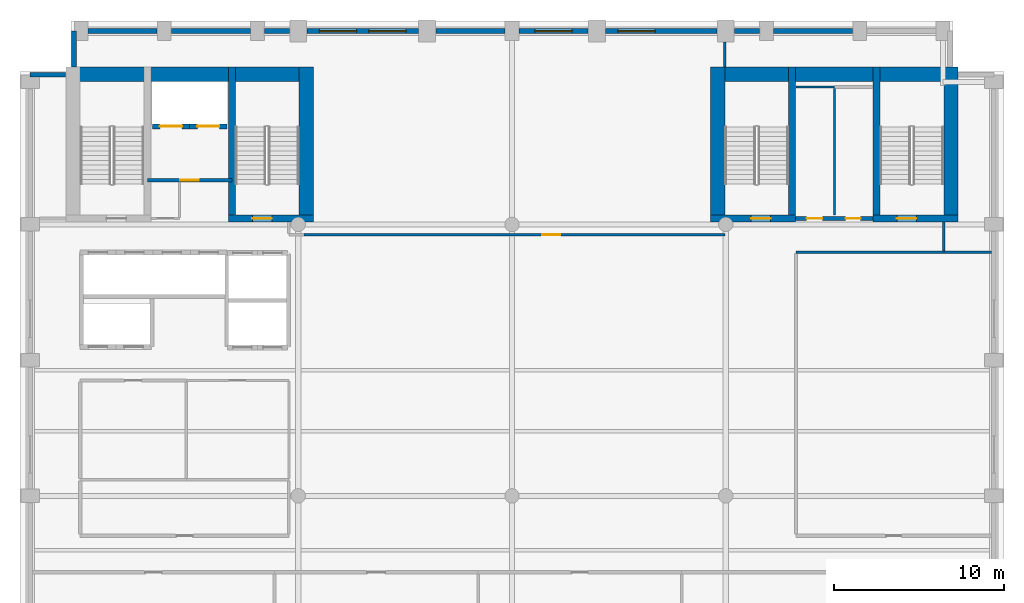
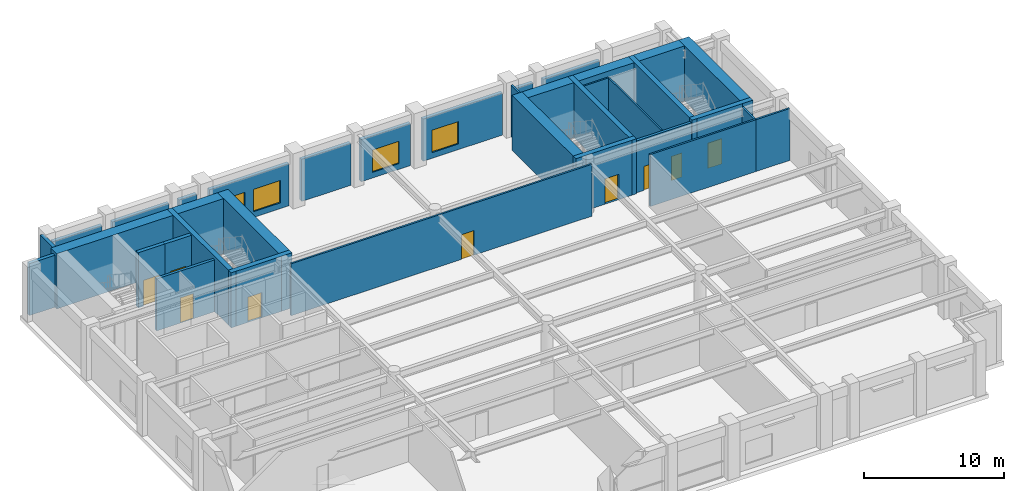
# One storey, part 6 of 10: 33 walls, 9 doors, 4 windows, 13 openings.
"""IFC4 building model written with IfcOpenShell, lengths in metres."""

from ifc_helpers import new_model, si_unit, direction, frame, frame_2d, origin, place, context, subcontext, project, spatial, rectangle, extrude, material, layer, layer_set, type_object, element, fill, save


model = new_model("IFC4")

# Units and contexts
model_context = context("Model", 3, precision=1e-05, world=origin(), true_north=direction((0.0, 1.0)))
body_context = subcontext(model_context, "Body", "Model", "MODEL_VIEW")
ifc_project = project(units=[si_unit("LENGTHUNIT", "METRE"), si_unit("AREAUNIT", "SQUARE_METRE"), si_unit("VOLUMEUNIT", "CUBIC_METRE"), si_unit("PLANEANGLEUNIT", "RADIAN"), si_unit("MASSUNIT", "GRAM", prefix="KILO")], contexts=[model_context])

# Site, building, storey
site_placement = place(None, origin())
site = spatial("IfcSite", under=ifc_project, at=site_placement, CompositionType="ELEMENT")
building_placement = place(site_placement, origin())
building = spatial("IfcBuilding", under=site, at=building_placement, Name="Sulina Concourse Tower", CompositionType="ELEMENT")
storey_placement = place(building_placement, frame((0.0, 0.0, 165.800048828125)))
storey = spatial("IfcBuildingStorey", under=building, at=storey_placement, Name="L40", CompositionType="ELEMENT", Elevation=165.800048828125)

# Wall, opening, door
ifc_material_1 = material(Name="Concrete C50/60", Category="concrete")
ifc_layer_1 = layer(ifc_material_1, 0.300048828125)
ifc_layer_set_1 = layer_set([ifc_layer_1], Name="Concrete C50/60")
wall_type_1 = type_object("IfcWallType", Name="Core Lift Hoistway Wall 300mm", PredefinedType="SOLIDWALL", material=ifc_layer_set_1)
wall_1_placement = place(storey_placement, frame((10.0, 39.780029296875, 0.0), z_axis=(0.0, 0.0, 1.0), x_axis=(-1.0, 0.0, 0.0)))
wall_1 = element("IfcWall", 1, at=wall_1_placement, inside=storey, type_object=wall_type_1, Name="L40 hoistway enclosure wall FFL-1", PredefinedType="SOLIDWALL", context=body_context, shape_type="SweptSolid", body=[
    extrude(rectangle(XDim=2.199951171875, YDim=0.300048828125, at=frame_2d((1.10009765625, 0.0))), origin(), (0.0, 0.0, 1.0), 4.800048828125),
])
opening_1_placement = place(wall_1_placement, frame((0.449951171875, 0.0, 0.0)))
opening_1 = element("IfcOpeningElement", 2, at=opening_1_placement, cuts=wall_1, Name="Opening LD-02", PredefinedType="OPENING", context=body_context, shape_type="SweptSolid", body=[
    extrude(rectangle(XDim=1.300048828125, YDim=2.25, at=frame_2d((0.64990234375, 1.125))), frame((0.0, 0.159912109375, 0.0), z_axis=(0.0, -1.0, 0.0), x_axis=(1.0, 0.0, 0.0)), (0.0, 0.0, 1.0), 0.320068359375),
])
ifc_material_2 = material(Name="Stainless steel lift landing door", Category="steel")
ifc_layer_2 = layer(ifc_material_2, 0.050048828125)
ifc_layer_set_2 = layer_set([ifc_layer_2], Name="Stainless steel lift landing door")
door_type_1 = type_object("IfcDoorType", Name="Firefighting Lift Sliding Landing Door 1300x2250", OperationType="SLIDING_TO_RIGHT", PredefinedType="DOOR", material=ifc_layer_set_2)
door_1_placement = place(opening_1_placement, origin())
door_1 = element("IfcDoor", 3, at=door_1_placement, inside=storey, type_object=door_type_1, Name="L40 lift landing sliding door FFL-1", OperationType="SLIDING_TO_LEFT", OverallHeight=2.25, OverallWidth=1.300048828125, PredefinedType="DOOR", context=body_context, shape_type="SweptSolid", body=[
    extrude(rectangle(XDim=1.300048828125, YDim=2.25, at=frame_2d((0.64990234375, 1.125))), frame((0.0, 0.02490234375, 0.0), z_axis=(0.0, -1.0, 0.0), x_axis=(1.0, 0.0, 0.0)), (0.0, 0.0, 1.0), 0.050048828125),
])
fill(opening_1, door_1)

wall_2_placement = place(storey_placement, frame((12.199951171875, 39.780029296875, 0.0), z_axis=(0.0, 0.0, 1.0), x_axis=(-1.0, 0.0, 0.0)))
wall_2 = element("IfcWall", 4, at=wall_2_placement, inside=storey, type_object=wall_type_1, Name="L40 hoistway enclosure wall FFL-2", PredefinedType="SOLIDWALL", context=body_context, shape_type="SweptSolid", body=[
    extrude(rectangle(XDim=2.199951171875, YDim=0.300048828125, at=frame_2d((1.10009765625, 0.0))), origin(), (0.0, 0.0, 1.0), 4.800048828125),
])
opening_2_placement = place(wall_2_placement, frame((0.449951171875, 0.0, 0.0)))
opening_2 = element("IfcOpeningElement", 5, at=opening_2_placement, cuts=wall_2, Name="Opening LD-02", PredefinedType="OPENING", context=body_context, shape_type="SweptSolid", body=[
    extrude(rectangle(XDim=1.300048828125, YDim=2.25, at=frame_2d((0.64990234375, 1.125))), frame((0.0, 0.159912109375, 0.0), z_axis=(0.0, -1.0, 0.0), x_axis=(1.0, 0.0, 0.0)), (0.0, 0.0, 1.0), 0.320068359375),
])
door_2_placement = place(opening_2_placement, origin())
door_2 = element("IfcDoor", 6, at=door_2_placement, inside=storey, type_object=door_type_1, Name="L40 lift landing sliding door FFL-2", OperationType="SLIDING_TO_RIGHT", OverallHeight=2.25, OverallWidth=1.300048828125, PredefinedType="DOOR", context=body_context, shape_type="SweptSolid", body=[
    extrude(rectangle(XDim=1.300048828125, YDim=2.25, at=frame_2d((0.64990234375, 1.125))), frame((0.0, 0.02490234375, 0.0), z_axis=(0.0, -1.0, 0.0), x_axis=(1.0, 0.0, 0.0)), (0.0, 0.0, 1.0), 0.050048828125),
])
fill(opening_2, door_2)

ifc_material_3 = material(Name="Gypsum board on steel stud", Category="steel")
ifc_layer_3 = layer(ifc_material_3, 0.219970703125)
ifc_layer_set_3 = layer_set([ifc_layer_3], Name="Gypsum board on steel stud")
wall_type_2 = type_object("IfcWallType", Name="Fire-Rated Lobby & Compartment Wall 220mm", PredefinedType="PARTITIONING", material=ifc_layer_set_3)
wall_3_placement = place(storey_placement, frame((7.510009765625, 36.60009765625, 0.0), z_axis=(0.0, 0.0, 1.0), x_axis=(1.0, 0.0, 0.0)))
wall_3 = element("IfcWall", 7, at=wall_3_placement, inside=storey, type_object=wall_type_2, Name="L40 firefighting lobby south fire wall", PredefinedType="PARTITIONING", context=body_context, shape_type="SweptSolid", body=[
    extrude(rectangle(XDim=4.97998046875, YDim=0.219970703125, at=frame_2d((2.489990234375, 0.0))), origin(), (0.0, 0.0, 1.0), 4.52490234375),
])
opening_3_placement = place(wall_3_placement, frame((1.93994140625, 0.0, 0.0)))
opening_3 = element("IfcOpeningElement", 8, at=opening_3_placement, cuts=wall_3, Name="Opening DR-47", PredefinedType="OPENING", context=body_context, shape_type="SweptSolid", body=[
    extrude(rectangle(XDim=1.10009765625, YDim=2.199951171875, at=frame_2d((0.550048828125, 1.10009765625))), frame((0.0, 0.119873046875, 0.0), z_axis=(0.0, -1.0, 0.0), x_axis=(1.0, 0.0, 0.0)), (0.0, 0.0, 1.0), 0.239990234375),
])
ifc_material_4 = material(Name="Galvanised steel acoustic fire leaf", Category="steel")
ifc_layer_4 = layer(ifc_material_4, 0.054931640625)
ifc_layer_set_4 = layer_set([ifc_layer_4], Name="Galvanised steel acoustic fire leaf")
door_type_2 = type_object("IfcDoorType", Name="Firefighting Lobby Fire Door 1100x2200", OperationType="NOTDEFINED", PredefinedType="DOOR", material=ifc_layer_set_4)
door_3_placement = place(opening_3_placement, origin())
door_3 = element("IfcDoor", 9, at=door_3_placement, inside=storey, type_object=door_type_2, Name="L40 firefighting lobby fire door", OperationType="SINGLE_SWING_LEFT", OverallHeight=2.199951171875, OverallWidth=1.10009765625, PredefinedType="DOOR", context=body_context, shape_type="SweptSolid", body=[
    extrude(rectangle(XDim=1.10009765625, YDim=2.199951171875, at=frame_2d((0.550048828125, 1.10009765625))), frame((0.0, 0.02490234375, 0.0), z_axis=(0.0, -1.0, 0.0), x_axis=(1.0, 0.0, 0.0)), (0.0, 0.0, 1.0), 0.050048828125),
])
fill(opening_3, door_3)

# Wall, openings, doors
wall_4_placement = place(storey_placement, frame((45.719970703125, 34.35009765625, 0.0), z_axis=(0.0, 0.0, 1.0), x_axis=(1.0, 0.0, 0.0)))
wall_4 = element("IfcWall", 10, at=wall_4_placement, inside=storey, type_object=wall_type_2, Name="L40 east core south lobby wall", PredefinedType="PARTITIONING", context=body_context, shape_type="SweptSolid", body=[
    extrude(rectangle(XDim=4.56005859375, YDim=0.219970703125, at=frame_2d((2.280029296875, 0.0))), origin(), (0.0, 0.0, 1.0), 4.52490234375),
])
opening_4_placement = place(wall_4_placement, frame((0.64990234375, 0.0, 0.0)))
opening_4 = element("IfcOpeningElement", 11, at=opening_4_placement, cuts=wall_4, Name="Opening DR-61", PredefinedType="OPENING", context=body_context, shape_type="SweptSolid", body=[
    extrude(rectangle(XDim=0.919921875, YDim=2.10009765625, at=frame_2d((0.4599609375, 1.050048828125))), frame((0.0, 0.119873046875, 0.0), z_axis=(0.0, -1.0, 0.0), x_axis=(1.0, 0.0, 0.0)), (0.0, 0.0, 1.0), 0.239990234375),
])
opening_5_placement = place(wall_4_placement, frame((2.949951171875, 0.0, 0.0)))
opening_5 = element("IfcOpeningElement", 12, at=opening_5_placement, cuts=wall_4, Name="Opening DR-38", PredefinedType="OPENING", context=body_context, shape_type="SweptSolid", body=[
    extrude(rectangle(XDim=0.8798828125, YDim=2.10009765625, at=frame_2d((0.43994140625, 1.050048828125))), frame((0.0, 0.119873046875, 0.0), z_axis=(0.0, -1.0, 0.0), x_axis=(1.0, 0.0, 0.0)), (0.0, 0.0, 1.0), 0.239990234375),
])
ifc_material_5 = material(Name="Oak-veneered fire door leaf")
ifc_layer_5 = layer(ifc_material_5, 0.050048828125)
ifc_layer_set_5 = layer_set([ifc_layer_5], Name="Oak-veneered fire door leaf")
door_type_3 = type_object("IfcDoorType", Name="Accessible WC Door 920x2100", OperationType="NOTDEFINED", PredefinedType="DOOR", material=ifc_layer_set_5)
door_4_placement = place(opening_4_placement, origin())
door_4 = element("IfcDoor", 13, at=door_4_placement, inside=storey, type_object=door_type_3, Name="L40 east core accessible wc door", OperationType="SINGLE_SWING_LEFT", OverallHeight=2.10009765625, OverallWidth=0.919921875, PredefinedType="DOOR", context=body_context, shape_type="SweptSolid", body=[
    extrude(rectangle(XDim=0.919921875, YDim=2.10009765625, at=frame_2d((0.4599609375, 1.050048828125))), frame((0.0, 0.02490234375, 0.0), z_axis=(0.0, -1.0, 0.0), x_axis=(1.0, 0.0, 0.0)), (0.0, 0.0, 1.0), 0.050048828125),
])
fill(opening_4, door_4)
ifc_material_6 = material(Name="Galvanised steel acoustic fire leaf", Category="steel")
ifc_layer_6 = layer(ifc_material_6, 0.050048828125)
ifc_layer_set_6 = layer_set([ifc_layer_6], Name="Galvanised steel acoustic fire leaf")
door_type_4 = type_object("IfcDoorType", Name="Service Riser Fire Door 880x2100", OperationType="NOTDEFINED", PredefinedType="DOOR", material=ifc_layer_set_6)
door_5_placement = place(opening_5_placement, origin())
door_5 = element("IfcDoor", 14, at=door_5_placement, inside=storey, type_object=door_type_4, Name="L40 east core store door", OperationType="SINGLE_SWING_RIGHT", OverallHeight=2.10009765625, OverallWidth=0.8798828125, PredefinedType="DOOR", context=body_context, shape_type="SweptSolid", body=[
    extrude(rectangle(XDim=0.8798828125, YDim=2.10009765625, at=frame_2d((0.43994140625, 1.050048828125))), frame((0.0, 0.02490234375, 0.0), z_axis=(0.0, -1.0, 0.0), x_axis=(1.0, 0.0, 0.0)), (0.0, 0.0, 1.0), 0.050048828125),
])
fill(opening_5, door_5)

# Walls
ifc_material_7 = material(Name="Gypsum board on steel stud", Category="steel")
ifc_layer_7 = layer(ifc_material_7, 0.14990234375)
ifc_layer_set_7 = layer_set([ifc_layer_7], Name="Gypsum board on steel stud")
wall_type_3 = type_object("IfcWallType", Name="Inter-Tenancy Acoustic Partition 150mm", PredefinedType="PARTITIONING", material=ifc_layer_set_7)
wall_5_placement = place(storey_placement, frame((45.75, 32.35009765625, 0.0), z_axis=(0.0, 0.0, 1.0), x_axis=(1.0, 0.0, 0.0)))
element("IfcWall", 15, at=wall_5_placement, inside=storey, type_object=wall_type_3, Name="L40 interior partition 011", PredefinedType="PARTITIONING", context=body_context, shape_type="SweptSolid", body=[
    extrude(rectangle(XDim=8.699951171875, YDim=0.14990234375, at=frame_2d((4.35009765625, 0.0))), origin(), (0.0, 0.0, 1.0), 4.52490234375),
])
wall_6_placement = place(storey_placement, frame((54.449951171875, 32.35009765625, 0.0), z_axis=(0.0, 0.0, 1.0), x_axis=(1.0, 0.0, 0.0)))
element("IfcWall", 16, at=wall_6_placement, inside=storey, type_object=wall_type_3, Name="L40 interior partition 012", PredefinedType="PARTITIONING", context=body_context, shape_type="SweptSolid", body=[
    extrude(rectangle(XDim=2.81005859375, YDim=0.14990234375, at=frame_2d((1.405029296875, 0.0))), origin(), (0.0, 0.0, 1.0), 4.52490234375),
])

# Wall, opening, door
wall_7_placement = place(storey_placement, frame((16.75, 33.39990234375, 0.0), z_axis=(0.0, 0.0, 1.0), x_axis=(1.0, 0.0, 0.0)))
wall_7 = element("IfcWall", 17, at=wall_7_placement, inside=storey, type_object=wall_type_3, Name="L40 interior partition 014", PredefinedType="PARTITIONING", context=body_context, shape_type="SweptSolid", body=[
    extrude(rectangle(XDim=24.800048828125, YDim=0.14990234375, at=frame_2d((12.39990234375, 0.0))), origin(), (0.0, 0.0, 1.0), 4.52490234375),
])
opening_6_placement = place(wall_7_placement, frame((14.034912109375, 0.0, 0.0)))
opening_6 = element("IfcOpeningElement", 18, at=opening_6_placement, cuts=wall_7, Name="Opening DR-37", PredefinedType="OPENING", context=body_context, shape_type="SweptSolid", body=[
    extrude(rectangle(XDim=1.050048828125, YDim=2.14990234375, at=frame_2d((0.52490234375, 1.074951171875))), frame((0.0, 0.0849609375, 0.0), z_axis=(0.0, -1.0, 0.0), x_axis=(1.0, 0.0, 0.0)), (0.0, 0.0, 1.0), 0.169921875),
])
ifc_material_8 = material(Name="Oak-veneered fire door leaf")
ifc_layer_8 = layer(ifc_material_8, 0.050048828125)
ifc_layer_set_8 = layer_set([ifc_layer_8], Name="Oak-veneered fire door leaf")
door_type_5 = type_object("IfcDoorType", Name="Tenant Suite Entrance Fire Door 1050x2150", OperationType="NOTDEFINED", PredefinedType="DOOR", material=ifc_layer_set_8)
door_6_placement = place(opening_6_placement, origin())
door_6 = element("IfcDoor", 19, at=door_6_placement, inside=storey, type_object=door_type_5, Name="L40 interior door L40-PNT-SL", OperationType="SINGLE_SWING_LEFT", OverallHeight=2.14990234375, OverallWidth=1.050048828125, PredefinedType="DOOR", context=body_context, shape_type="SweptSolid", body=[
    extrude(rectangle(XDim=1.050048828125, YDim=2.14990234375, at=frame_2d((0.52490234375, 1.074951171875))), frame((0.0, 0.02490234375, 0.0), z_axis=(0.0, -1.0, 0.0), x_axis=(1.0, 0.0, 0.0)), (0.0, 0.0, 1.0), 0.050048828125),
])
fill(opening_6, door_6)

# Walls
wall_8_placement = place(storey_placement, frame((41.550048828125, 43.280029296875, 0.0), z_axis=(0.0, 0.0, 1.0), x_axis=(0.0, 1.0, 0.0)))
element("IfcWall", 20, at=wall_8_placement, inside=storey, type_object=wall_type_3, Name="L40 interior partition 029", PredefinedType="PARTITIONING", context=body_context, shape_type="SweptSolid", body=[
    extrude(rectangle(XDim=1.469970703125, YDim=0.14990234375, at=frame_2d((0.73486328125, 0.0))), origin(), (0.0, 0.0, 1.0), 4.52490234375),
])
wall_9_placement = place(storey_placement, frame((54.449951171875, 32.425048828125, 0.0), z_axis=(0.0, 0.0, 1.0), x_axis=(0.0, 1.0, 0.0)))
element("IfcWall", 21, at=wall_9_placement, inside=storey, type_object=wall_type_3, Name="L40 interior partition 032", PredefinedType="PARTITIONING", context=body_context, shape_type="SweptSolid", body=[
    extrude(rectangle(XDim=1.724853515625, YDim=0.14990234375, at=frame_2d((0.8623046875, 0.0))), origin(), (0.0, 0.0, 1.0), 4.52490234375),
])

# Wall, opening, door
ifc_material_9 = material(Name="Concrete C60/75", Category="concrete")
ifc_layer_9 = layer(ifc_material_9, 0.39990234375)
ifc_layer_set_9 = layer_set([ifc_layer_9], Name="Concrete C60/75")
wall_type_4 = type_object("IfcWallType", Name="Protected Stair Core Shear Wall 400mm", PredefinedType="SHEAR", material=ifc_layer_set_9)
wall_10_placement = place(storey_placement, frame((12.2900390625, 34.35009765625, 0.0), z_axis=(0.0, 0.0, 1.0), x_axis=(1.0, 0.0, 0.0)))
wall_10 = element("IfcWall", 22, at=wall_10_placement, inside=storey, type_object=wall_type_4, Name="L40 west core shear wall CW-WS2", PredefinedType="SHEAR", context=body_context, shape_type="SweptSolid", body=[
    extrude(rectangle(XDim=5.010009765625, YDim=0.39990234375, at=frame_2d((2.5048828125, 0.0))), origin(), (0.0, 0.0, 1.0), 4.800048828125),
])
opening_7_placement = place(wall_10_placement, frame((1.39990234375, 0.0, 0.0)))
opening_7 = element("IfcOpeningElement", 23, at=opening_7_placement, cuts=wall_10, Name="Opening DR-60", PredefinedType="OPENING", context=body_context, shape_type="SweptSolid", body=[
    extrude(rectangle(XDim=1.14990234375, YDim=2.199951171875, at=frame_2d((0.574951171875, 1.10009765625))), frame((0.0, 0.2099609375, 0.0), z_axis=(0.0, -1.0, 0.0), x_axis=(1.0, 0.0, 0.0)), (0.0, 0.0, 1.0), 0.419921875),
])
ifc_material_10 = material(Name="Galvanised steel acoustic fire leaf", Category="steel")
ifc_layer_10 = layer(ifc_material_10, 0.054931640625)
ifc_layer_set_10 = layer_set([ifc_layer_10], Name="Galvanised steel acoustic fire leaf")
door_type_6 = type_object("IfcDoorType", Name="Protected Exit Stair Fire Door 1150x2200", OperationType="NOTDEFINED", PredefinedType="DOOR", material=ifc_layer_set_10)
door_7_placement = place(opening_7_placement, origin())
door_7 = element("IfcDoor", 24, at=door_7_placement, inside=storey, type_object=door_type_6, Name="L40 stair ST-2 lobby fire door", OperationType="SINGLE_SWING_RIGHT", OverallHeight=2.199951171875, OverallWidth=1.14990234375, PredefinedType="DOOR", context=body_context, shape_type="SweptSolid", body=[
    extrude(rectangle(XDim=1.14990234375, YDim=2.199951171875, at=frame_2d((0.574951171875, 1.10009765625))), frame((0.0, 0.02490234375, 0.0), z_axis=(0.0, -1.0, 0.0), x_axis=(1.0, 0.0, 0.0)), (0.0, 0.0, 1.0), 0.050048828125),
])
fill(opening_7, door_7)

# Wall
wall_11_placement = place(storey_placement, frame((12.489990234375, 34.14990234375, 0.0), z_axis=(0.0, 0.0, 1.0), x_axis=(0.0, 1.0, 0.0)))
element("IfcWall", 25, at=wall_11_placement, inside=storey, type_object=wall_type_4, Name="L40 west core shear wall SW-ST2", PredefinedType="SHEAR", context=body_context, shape_type="SweptSolid", body=[
    extrude(rectangle(XDim=9.130126953125, YDim=0.39990234375, at=frame_2d((4.56494140625, 0.0))), origin(), (0.0, 0.0, 1.0), 4.800048828125),
])

# Wall, opening, door
wall_12_placement = place(storey_placement, frame((40.699951171875, 34.35009765625, 0.0), z_axis=(0.0, 0.0, 1.0), x_axis=(1.0, 0.0, 0.0)))
wall_12 = element("IfcWall", 26, at=wall_12_placement, inside=storey, type_object=wall_type_4, Name="L40 east core shear wall CW-ES1", PredefinedType="SHEAR", context=body_context, shape_type="SweptSolid", body=[
    extrude(rectangle(XDim=5.010009765625, YDim=0.39990234375, at=frame_2d((2.5048828125, 0.0))), origin(), (0.0, 0.0, 1.0), 4.800048828125),
])
opening_8_placement = place(wall_12_placement, frame((2.39990234375, 0.0, 0.0)))
opening_8 = element("IfcOpeningElement", 27, at=opening_8_placement, cuts=wall_12, Name="Opening DR-60", PredefinedType="OPENING", context=body_context, shape_type="SweptSolid", body=[
    extrude(rectangle(XDim=1.14990234375, YDim=2.199951171875, at=frame_2d((0.574951171875, 1.10009765625))), frame((0.0, 0.2099609375, 0.0), z_axis=(0.0, -1.0, 0.0), x_axis=(1.0, 0.0, 0.0)), (0.0, 0.0, 1.0), 0.419921875),
])
door_8_placement = place(opening_8_placement, origin())
door_8 = element("IfcDoor", 28, at=door_8_placement, inside=storey, type_object=door_type_6, Name="L40 stair ST-3 south lobby fire door", OperationType="SINGLE_SWING_RIGHT", OverallHeight=2.199951171875, OverallWidth=1.14990234375, PredefinedType="DOOR", context=body_context, shape_type="SweptSolid", body=[
    extrude(rectangle(XDim=1.14990234375, YDim=2.199951171875, at=frame_2d((0.574951171875, 1.10009765625))), frame((0.0, 0.02490234375, 0.0), z_axis=(0.0, -1.0, 0.0), x_axis=(1.0, 0.0, 0.0)), (0.0, 0.0, 1.0), 0.050048828125),
])
fill(opening_8, door_8)

# Wall
wall_13_placement = place(storey_placement, frame((45.510009765625, 34.14990234375, 0.0), z_axis=(0.0, 0.0, 1.0), x_axis=(0.0, 1.0, 0.0)))
element("IfcWall", 29, at=wall_13_placement, inside=storey, type_object=wall_type_4, Name="L40 east core shear wall SW-ST3", PredefinedType="SHEAR", context=body_context, shape_type="SweptSolid", body=[
    extrude(rectangle(XDim=9.130126953125, YDim=0.39990234375, at=frame_2d((4.56494140625, 0.0))), origin(), (0.0, 0.0, 1.0), 4.800048828125),
])

# Wall, opening, door
wall_14_placement = place(storey_placement, frame((50.2900390625, 34.35009765625, 0.0), z_axis=(0.0, 0.0, 1.0), x_axis=(1.0, 0.0, 0.0)))
wall_14 = element("IfcWall", 30, at=wall_14_placement, inside=storey, type_object=wall_type_4, Name="L40 east core shear wall CW-ES2", PredefinedType="SHEAR", context=body_context, shape_type="SweptSolid", body=[
    extrude(rectangle(XDim=5.010009765625, YDim=0.39990234375, at=frame_2d((2.5048828125, 0.0))), origin(), (0.0, 0.0, 1.0), 4.800048828125),
])
opening_9_placement = place(wall_14_placement, frame((1.39990234375, 0.0, 0.0)))
opening_9 = element("IfcOpeningElement", 31, at=opening_9_placement, cuts=wall_14, Name="Opening DR-60", PredefinedType="OPENING", context=body_context, shape_type="SweptSolid", body=[
    extrude(rectangle(XDim=1.14990234375, YDim=2.199951171875, at=frame_2d((0.574951171875, 1.10009765625))), frame((0.0, 0.2099609375, 0.0), z_axis=(0.0, -1.0, 0.0), x_axis=(1.0, 0.0, 0.0)), (0.0, 0.0, 1.0), 0.419921875),
])
door_9_placement = place(opening_9_placement, origin())
door_9 = element("IfcDoor", 32, at=door_9_placement, inside=storey, type_object=door_type_6, Name="L40 stair ST-4 south lobby fire door", OperationType="SINGLE_SWING_LEFT", OverallHeight=2.199951171875, OverallWidth=1.14990234375, PredefinedType="DOOR", context=body_context, shape_type="SweptSolid", body=[
    extrude(rectangle(XDim=1.14990234375, YDim=2.199951171875, at=frame_2d((0.574951171875, 1.10009765625))), frame((0.0, 0.02490234375, 0.0), z_axis=(0.0, -1.0, 0.0), x_axis=(1.0, 0.0, 0.0)), (0.0, 0.0, 1.0), 0.050048828125),
])
fill(opening_9, door_9)

# Walls
wall_15_placement = place(storey_placement, frame((50.489990234375, 34.14990234375, 0.0), z_axis=(0.0, 0.0, 1.0), x_axis=(0.0, 1.0, 0.0)))
element("IfcWall", 33, at=wall_15_placement, inside=storey, type_object=wall_type_4, Name="L40 east core shear wall SW-ST4", PredefinedType="SHEAR", context=body_context, shape_type="SweptSolid", body=[
    extrude(rectangle(XDim=9.130126953125, YDim=0.39990234375, at=frame_2d((4.56494140625, 0.0))), origin(), (0.0, 0.0, 1.0), 4.800048828125),
])
ifc_material_11 = material(Name="Concrete C60/75", Category="concrete")
ifc_layer_11 = layer(ifc_material_11, 0.85009765625)
ifc_layer_set_11 = layer_set([ifc_layer_11], Name="Concrete C60/75")
wall_type_5 = type_object("IfcWallType", Name="Rear Core Shear Wall 850mm", PredefinedType="SHEAR", material=ifc_layer_set_11)
wall_16_placement = place(storey_placement, frame((2.699951171875, 42.85498046875, 0.0), z_axis=(0.0, 0.0, 1.0), x_axis=(1.0, 0.0, 0.0)))
element("IfcWall", 34, at=wall_16_placement, inside=storey, type_object=wall_type_5, Name="L40 west core shear wall CW-WN", PredefinedType="SHEAR", context=body_context, shape_type="SweptSolid", body=[
    extrude(rectangle(XDim=14.60009765625, YDim=0.85009765625, at=frame_2d((7.300048828125, 0.0))), origin(), (0.0, 0.0, 1.0), 4.800048828125),
])
wall_17_placement = place(storey_placement, frame((16.875, 34.14990234375, 0.0), z_axis=(0.0, 0.0, 1.0), x_axis=(0.0, 1.0, 0.0)))
element("IfcWall", 35, at=wall_17_placement, inside=storey, type_object=wall_type_5, Name="L40 west core shear wall CW-WE", PredefinedType="SHEAR", context=body_context, shape_type="SweptSolid", body=[
    extrude(rectangle(XDim=9.130126953125, YDim=0.85009765625, at=frame_2d((4.56494140625, 0.0))), origin(), (0.0, 0.0, 1.0), 4.800048828125),
])
wall_18_placement = place(storey_placement, frame((40.699951171875, 42.85498046875, 0.0), z_axis=(0.0, 0.0, 1.0), x_axis=(1.0, 0.0, 0.0)))
element("IfcWall", 36, at=wall_18_placement, inside=storey, type_object=wall_type_5, Name="L40 east core shear wall CW-EN", PredefinedType="SHEAR", context=body_context, shape_type="SweptSolid", body=[
    extrude(rectangle(XDim=14.60009765625, YDim=0.85009765625, at=frame_2d((7.300048828125, 0.0))), origin(), (0.0, 0.0, 1.0), 4.800048828125),
])
for number, where, z_axis, x_axis, name in (
    (37, (41.125, 34.14990234375, 0.0), (0.0, 0.0, 1.0), (0.0, 1.0, 0.0), "L40 east core shear wall CW-EW"),
    (38, (54.875, 34.14990234375, 0.0), (0.0, 0.0, 1.0), (0.0, 1.0, 0.0), "L40 east core shear wall CW-EE"),
):
    element("IfcWall", number, at=place(storey_placement, frame(where, z_axis=z_axis, x_axis=x_axis)), inside=storey, type_object=wall_type_5, Name=name, PredefinedType="SHEAR", context=body_context, shape_type="SweptSolid", body=[
        extrude(rectangle(XDim=9.130126953125, YDim=0.85009765625, at=frame_2d((4.56494140625, 0.0))), origin(), (0.0, 0.0, 1.0), 4.800048828125),
    ])
ifc_material_12 = material(Name="Precast concrete C50/60", Category="concrete")
ifc_layer_12 = layer(ifc_material_12, 0.280029296875)
ifc_layer_set_12 = layer_set([ifc_layer_12], Name="Precast concrete C50/60")
wall_type_6 = type_object("IfcWallType", Name="Typical Precast Masonry-Frame Facade Wall 280mm", PredefinedType="SOLIDWALL", material=ifc_layer_set_12)
wall_19_placement = place(storey_placement, frame((4.02001953125, 45.39990234375, 0.0), z_axis=(0.0, 0.0, 1.0), x_axis=(1.0, 0.0, 0.0)))
element("IfcWall", 39, at=wall_19_placement, inside=storey, type_object=wall_type_6, Name="L40 exterior precast wall N1", PredefinedType="SOLIDWALL", context=body_context, shape_type="SweptSolid", body=[
    extrude(rectangle(XDim=4.06005859375, YDim=0.280029296875, at=frame_2d((2.030029296875, 0.0))), origin(), (0.0, 0.0, 1.0), 3.675048828125),
])
wall_20_placement = place(storey_placement, frame((8.919921875, 45.39990234375, 0.0), z_axis=(0.0, 0.0, 1.0), x_axis=(1.0, 0.0, 0.0)))
element("IfcWall", 40, at=wall_20_placement, inside=storey, type_object=wall_type_6, Name="L40 exterior precast wall N2", PredefinedType="SOLIDWALL", context=body_context, shape_type="SweptSolid", body=[
    extrude(rectangle(XDim=4.66015625, YDim=0.280029296875, at=frame_2d((2.330078125, 0.0))), origin(), (0.0, 0.0, 1.0), 3.675048828125),
])
wall_21_placement = place(storey_placement, frame((14.419921875, 45.39990234375, 0.0), z_axis=(0.0, 0.0, 1.0), x_axis=(1.0, 0.0, 0.0)))
element("IfcWall", 41, at=wall_21_placement, inside=storey, type_object=wall_type_6, Name="L40 exterior precast wall N3", PredefinedType="SOLIDWALL", context=body_context, shape_type="SweptSolid", body=[
    extrude(rectangle(XDim=1.4599609375, YDim=0.280029296875, at=frame_2d((0.72998046875, 0.0))), origin(), (0.0, 0.0, 1.0), 3.675048828125),
])

# Wall, openings, windows
wall_22_placement = place(storey_placement, frame((16.919921875, 45.39990234375, 0.0), z_axis=(0.0, 0.0, 1.0), x_axis=(1.0, 0.0, 0.0)))
wall_22 = element("IfcWall", 42, at=wall_22_placement, inside=storey, type_object=wall_type_6, Name="L40 exterior precast wall N4", PredefinedType="SOLIDWALL", context=body_context, shape_type="SweptSolid", body=[
    extrude(rectangle(XDim=6.56005859375, YDim=0.280029296875, at=frame_2d((3.280029296875, 0.0))), origin(), (0.0, 0.0, 1.0), 3.675048828125),
])
opening_10_placement = place(wall_22_placement, frame((0.719970703125, 0.0, 0.5)))
opening_10 = element("IfcOpeningElement", 43, at=opening_10_placement, cuts=wall_22, Name="Opening WN-76", PredefinedType="OPENING", context=body_context, shape_type="SweptSolid", body=[
    extrude(rectangle(XDim=2.199951171875, YDim=1.949951171875, at=frame_2d((1.10009765625, 0.97509765625))), frame((0.0, 0.14990234375, 0.0), z_axis=(0.0, -1.0, 0.0), x_axis=(1.0, 0.0, 0.0)), (0.0, 0.0, 1.0), 0.300048828125),
])
opening_11_placement = place(wall_22_placement, frame((3.639892578125, 0.0, 0.5)))
opening_11 = element("IfcOpeningElement", 44, at=opening_11_placement, cuts=wall_22, Name="Opening WN-76", PredefinedType="OPENING", context=body_context, shape_type="SweptSolid", body=[
    extrude(rectangle(XDim=2.199951171875, YDim=1.949951171875, at=frame_2d((1.10009765625, 0.97509765625))), frame((0.0, 0.14990234375, 0.0), z_axis=(0.0, -1.0, 0.0), x_axis=(1.0, 0.0, 0.0)), (0.0, 0.0, 1.0), 0.300048828125),
])
ifc_material_13 = material(Name="Low-E solar double glazing in bronze aluminium", Category="aluminium")
window_type = type_object("IfcWindowType", Name="Recessed Spandrel Window 2200x1950", PartitioningType="DOUBLE_PANEL_VERTICAL", PredefinedType="WINDOW", material=ifc_material_13)
window_1_placement = place(opening_10_placement, origin())
window_1 = element("IfcWindow", 45, at=window_1_placement, inside=storey, type_object=window_type, Name="L40 punched window N4-1", OverallHeight=1.949951171875, OverallWidth=2.199951171875, PartitioningType="SINGLE_PANEL", PredefinedType="WINDOW", context=body_context, shape_type="SweptSolid", body=[
    extrude(rectangle(XDim=2.199951171875, YDim=1.949951171875, at=frame_2d((1.10009765625, 0.97509765625))), frame((0.0, 0.030029296875, 0.0), z_axis=(0.0, -1.0, 0.0), x_axis=(1.0, 0.0, 0.0)), (0.0, 0.0, 1.0), 0.06005859375),
])
fill(opening_10, window_1)
window_2_placement = place(opening_11_placement, origin())
window_2 = element("IfcWindow", 46, at=window_2_placement, inside=storey, type_object=window_type, Name="L40 punched window N4-2", OverallHeight=1.949951171875, OverallWidth=2.199951171875, PartitioningType="SINGLE_PANEL", PredefinedType="WINDOW", context=body_context, shape_type="SweptSolid", body=[
    extrude(rectangle(XDim=2.199951171875, YDim=1.949951171875, at=frame_2d((1.10009765625, 0.97509765625))), frame((0.0, 0.030029296875, 0.0), z_axis=(0.0, -1.0, 0.0), x_axis=(1.0, 0.0, 0.0)), (0.0, 0.0, 1.0), 0.06005859375),
])
fill(opening_11, window_2)

# Wall
wall_23_placement = place(storey_placement, frame((24.52001953125, 45.39990234375, 0.0), z_axis=(0.0, 0.0, 1.0), x_axis=(1.0, 0.0, 0.0)))
element("IfcWall", 47, at=wall_23_placement, inside=storey, type_object=wall_type_6, Name="L40 exterior precast wall N5", PredefinedType="SOLIDWALL", context=body_context, shape_type="SweptSolid", body=[
    extrude(rectangle(XDim=4.06005859375, YDim=0.280029296875, at=frame_2d((2.030029296875, 0.0))), origin(), (0.0, 0.0, 1.0), 3.675048828125),
])

# Wall, opening, window
wall_24_placement = place(storey_placement, frame((29.419921875, 45.39990234375, 0.0), z_axis=(0.0, 0.0, 1.0), x_axis=(1.0, 0.0, 0.0)))
wall_24 = element("IfcWall", 48, at=wall_24_placement, inside=storey, type_object=wall_type_6, Name="L40 exterior precast wall N6", PredefinedType="SOLIDWALL", context=body_context, shape_type="SweptSolid", body=[
    extrude(rectangle(XDim=4.06005859375, YDim=0.280029296875, at=frame_2d((2.030029296875, 0.0))), origin(), (0.0, 0.0, 1.0), 3.675048828125),
])
opening_12_placement = place(wall_24_placement, frame((0.929931640625, 0.0, 0.5)))
opening_12 = element("IfcOpeningElement", 49, at=opening_12_placement, cuts=wall_24, Name="Opening WN-76", PredefinedType="OPENING", context=body_context, shape_type="SweptSolid", body=[
    extrude(rectangle(XDim=2.199951171875, YDim=1.949951171875, at=frame_2d((1.10009765625, 0.97509765625))), frame((0.0, 0.14990234375, 0.0), z_axis=(0.0, -1.0, 0.0), x_axis=(1.0, 0.0, 0.0)), (0.0, 0.0, 1.0), 0.300048828125),
])
window_3_placement = place(opening_12_placement, origin())
window_3 = element("IfcWindow", 50, at=window_3_placement, inside=storey, type_object=window_type, Name="L40 punched window N6-1", OverallHeight=1.949951171875, OverallWidth=2.199951171875, PartitioningType="SINGLE_PANEL", PredefinedType="WINDOW", context=body_context, shape_type="SweptSolid", body=[
    extrude(rectangle(XDim=2.199951171875, YDim=1.949951171875, at=frame_2d((1.10009765625, 0.97509765625))), frame((0.0, 0.030029296875, 0.0), z_axis=(0.0, -1.0, 0.0), x_axis=(1.0, 0.0, 0.0)), (0.0, 0.0, 1.0), 0.06005859375),
])
fill(opening_12, window_3)

wall_25_placement = place(storey_placement, frame((34.52001953125, 45.39990234375, 0.0), z_axis=(0.0, 0.0, 1.0), x_axis=(1.0, 0.0, 0.0)))
wall_25 = element("IfcWall", 51, at=wall_25_placement, inside=storey, type_object=wall_type_6, Name="L40 exterior precast wall N7", PredefinedType="SOLIDWALL", context=body_context, shape_type="SweptSolid", body=[
    extrude(rectangle(XDim=6.56005859375, YDim=0.280029296875, at=frame_2d((3.280029296875, 0.0))), origin(), (0.0, 0.0, 1.0), 3.675048828125),
])
opening_13_placement = place(wall_25_placement, frame((0.719970703125, 0.0, 0.5)))
opening_13 = element("IfcOpeningElement", 52, at=opening_13_placement, cuts=wall_25, Name="Opening WN-76", PredefinedType="OPENING", context=body_context, shape_type="SweptSolid", body=[
    extrude(rectangle(XDim=2.199951171875, YDim=1.949951171875, at=frame_2d((1.10009765625, 0.97509765625))), frame((0.0, 0.14990234375, 0.0), z_axis=(0.0, -1.0, 0.0), x_axis=(1.0, 0.0, 0.0)), (0.0, 0.0, 1.0), 0.300048828125),
])
window_4_placement = place(opening_13_placement, origin())
window_4 = element("IfcWindow", 53, at=window_4_placement, inside=storey, type_object=window_type, Name="L40 punched window N7-1", OverallHeight=1.949951171875, OverallWidth=2.199951171875, PartitioningType="SINGLE_PANEL", PredefinedType="WINDOW", context=body_context, shape_type="SweptSolid", body=[
    extrude(rectangle(XDim=2.199951171875, YDim=1.949951171875, at=frame_2d((1.10009765625, 0.97509765625))), frame((0.0, 0.030029296875, 0.0), z_axis=(0.0, -1.0, 0.0), x_axis=(1.0, 0.0, 0.0)), (0.0, 0.0, 1.0), 0.06005859375),
])
fill(opening_13, window_4)

# Walls
wall_26_placement = place(storey_placement, frame((42.1201171875, 45.39990234375, 0.0), z_axis=(0.0, 0.0, 1.0), x_axis=(1.0, 0.0, 0.0)))
element("IfcWall", 54, at=wall_26_placement, inside=storey, type_object=wall_type_6, Name="L40 exterior precast wall N8", PredefinedType="SOLIDWALL", context=body_context, shape_type="SweptSolid", body=[
    extrude(rectangle(XDim=1.4599609375, YDim=0.280029296875, at=frame_2d((0.72998046875, 0.0))), origin(), (0.0, 0.0, 1.0), 3.675048828125),
])
wall_27_placement = place(storey_placement, frame((44.419921875, 45.39990234375, 0.0), z_axis=(0.0, 0.0, 1.0), x_axis=(1.0, 0.0, 0.0)))
element("IfcWall", 55, at=wall_27_placement, inside=storey, type_object=wall_type_6, Name="L40 exterior precast wall N9", PredefinedType="SOLIDWALL", context=body_context, shape_type="SweptSolid", body=[
    extrude(rectangle(XDim=4.66015625, YDim=0.280029296875, at=frame_2d((2.330078125, 0.0))), origin(), (0.0, 0.0, 1.0), 3.675048828125),
])
wall_28_placement = place(storey_placement, frame((0.60009765625, 42.820068359375, 0.0), z_axis=(0.0, 0.0, 1.0), x_axis=(1.0, 0.0, 0.0)))
element("IfcWall", 56, at=wall_28_placement, inside=storey, type_object=wall_type_6, Name="L40 exterior precast wall CNW1", PredefinedType="SOLIDWALL", context=body_context, shape_type="SweptSolid", body=[
    extrude(rectangle(XDim=2.094970703125, YDim=0.280029296875, at=frame_2d((1.04736328125, 0.0))), origin(), (0.0, 0.0, 1.0), 4.52490234375),
])
wall_29_placement = place(storey_placement, frame((3.179931640625, 43.284912109375, 0.0), z_axis=(0.0, 0.0, 1.0), x_axis=(0.0, 1.0, 0.0)))
element("IfcWall", 57, at=wall_29_placement, inside=storey, type_object=wall_type_6, Name="L40 exterior precast wall CNW2", PredefinedType="SOLIDWALL", context=body_context, shape_type="SweptSolid", body=[
    extrude(rectangle(XDim=2.114990234375, YDim=0.280029296875, at=frame_2d((1.0576171875, 0.0))), origin(), (0.0, 0.0, 1.0), 4.52490234375),
])
ifc_material_14 = material(Name="Gypsum board on steel stud", Category="steel")
ifc_layer_13 = layer(ifc_material_14, 0.125)
ifc_layer_set_13 = layer_set([ifc_layer_13], Name="Gypsum board on steel stud")
wall_type_7 = type_object("IfcWallType", Name="Wet-Area Moisture-Resistant Partition 125mm", PredefinedType="PARTITIONING", material=ifc_layer_set_13)
wall_30_placement = place(storey_placement, frame((45.75, 42.10009765625, 0.0), z_axis=(0.0, 0.0, 1.0), x_axis=(1.0, 0.0, 0.0)))
element("IfcWall", 58, at=wall_30_placement, inside=storey, type_object=wall_type_7, Name="L40 interior partition 017", PredefinedType="PARTITIONING", context=body_context, shape_type="SweptSolid", body=[
    extrude(rectangle(XDim=2.25, YDim=0.125, at=frame_2d((1.125, 0.0))), origin(), (0.0, 0.0, 1.0), 4.52490234375),
])
wall_31_placement = place(storey_placement, frame((48.0, 34.550048828125, 0.0), z_axis=(0.0, 0.0, 1.0), x_axis=(0.0, 1.0, 0.0)))
element("IfcWall", 59, at=wall_31_placement, inside=storey, type_object=wall_type_7, Name="L40 interior partition 031", PredefinedType="PARTITIONING", context=body_context, shape_type="SweptSolid", body=[
    extrude(rectangle(XDim=7.474853515625, YDim=0.125, at=frame_2d((3.7373046875, 0.0))), origin(), (0.0, 0.0, 1.0), 4.52490234375),
])

save(model, "model.ifc")
